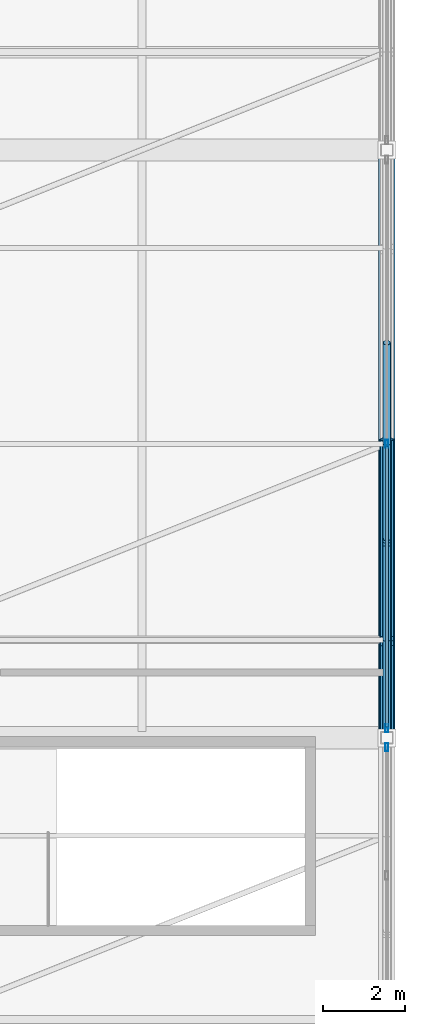
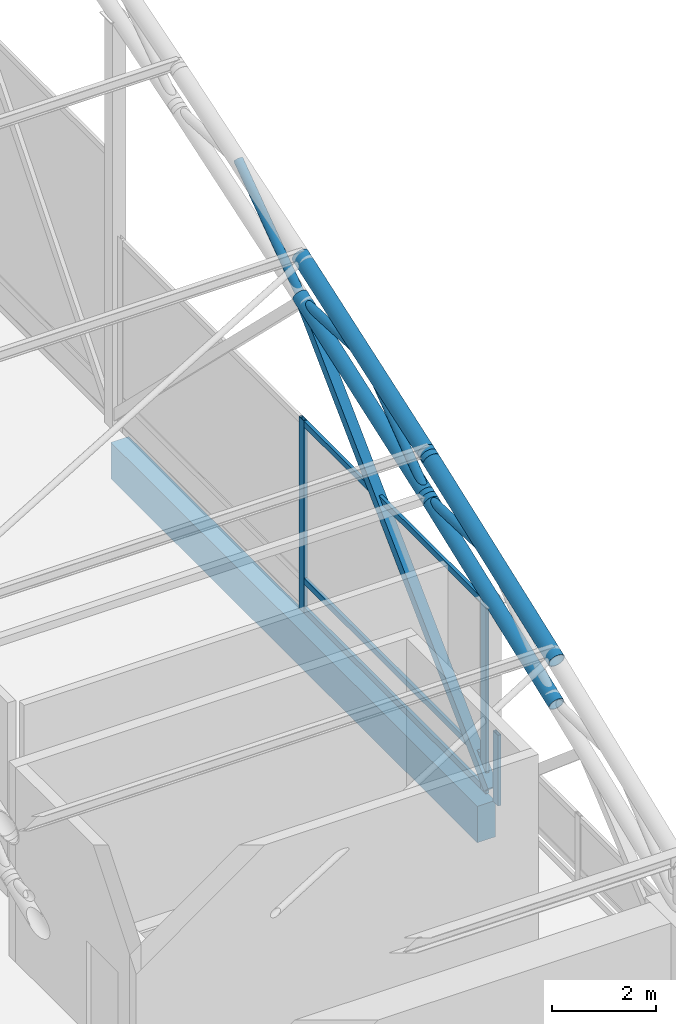
# One storey, part 42 of 116: 15 members, 1 beam, 2 elements without a shape of their own.
"""IFC4 building model written with IfcOpenShell, lengths in metres."""

from ifc_helpers import new_model, si_unit, direction, frame, origin, origin_2d, place, context, subcontext, project, spatial, rectangle, hollow_rectangle, hollow_circle, extrude, material, material_profile, profile_set, type_object, element, aggregate, save


model = new_model("IFC4")

# Units and contexts
model_context = context("Model", 3, precision=1e-05, world=origin(), true_north=direction((0.0, 1.0)))
body_context = subcontext(model_context, "Body", "Model", "MODEL_VIEW")
ifc_project = project(units=[si_unit("LENGTHUNIT", "METRE"), si_unit("AREAUNIT", "SQUARE_METRE"), si_unit("VOLUMEUNIT", "CUBIC_METRE"), si_unit("PLANEANGLEUNIT", "RADIAN"), si_unit("MASSUNIT", "GRAM", prefix="KILO")], contexts=[model_context])

# Site, building, storey
site_placement = place(None, origin())
site = spatial("IfcSite", under=ifc_project, at=site_placement, CompositionType="ELEMENT")
building_placement = place(site_placement, origin())
building = spatial("IfcBuilding", under=site, at=building_placement, Name="Cendralis Lancet Convention Centre", CompositionType="ELEMENT")
storey_placement = place(building_placement, frame((0.0, 0.0, 15.0)))
storey = spatial("IfcBuildingStorey", under=building, at=storey_placement, Name="L03", CompositionType="ELEMENT", Elevation=15.0)

# Curtain wall, member
ifc_material_1 = material(Name="Anodised bronze architectural aluminium", Category="aluminium")
curtain_wall_type = type_object("IfcCurtainWallType", Name="ARC-CW-PL02", PredefinedType="USERDEFINED", material=ifc_material_1)
curtain_wall_1_placement = place(storey_placement, origin())
curtain_wall_1 = element("IfcCurtainWall", 1, at=curtain_wall_1_placement, inside=storey, type_object=curtain_wall_type, Name="L03 Curtain Wall CW-PL2 #141", ObjectType="CURTAIN WALL", PredefinedType="USERDEFINED")
ifc_material_profile_1 = material_profile(ifc_material_1, hollow_rectangle(XDim=0.070068359375, YDim=0.199951171875, WallThickness=0.0048828125, at=origin_2d()), Name="AL-MULL 70x200x5.0")
ifc_profile_set_1 = profile_set([ifc_material_profile_1], Name="Anodised bronze architectural aluminium")
member_type_1 = type_object("IfcMemberType", Name="ARC-CW-ML02", PredefinedType="MULLION", material=ifc_profile_set_1)
member_1_placement = place(storey_placement, frame((208.800048828125, 50.1650390625, 0.0), z_axis=(0.0, 0.0, 1.0), x_axis=(1.0, 0.0, 0.0)))
member_1 = element("IfcMember", 2, at=member_1_placement, type_object=member_type_1, Name="Mullion CW2-CW-PL2-L03-141-M0", PredefinedType="MULLION", context=body_context, shape_type="SweptSolid", body=[
    extrude(hollow_rectangle(XDim=0.070068359375, YDim=0.199951171875, WallThickness=0.0048828125, at=origin_2d()), origin(), (0.0, 0.0, 1.0), 1.64990234375),
])
aggregate(curtain_wall_1, [member_1])

# Curtain wall, members
curtain_wall_2_placement = place(storey_placement, origin())
curtain_wall_2 = element("IfcCurtainWall", 3, at=curtain_wall_2_placement, inside=storey, type_object=curtain_wall_type, Name="L03 Curtain Wall CW-PL2 #142", ObjectType="CURTAIN WALL", PredefinedType="USERDEFINED")
member_2_placement = place(storey_placement, frame((208.800048828125, 57.60009765625, 0.0), z_axis=(0.0, 0.0, 1.0), x_axis=(1.0, 0.0, 0.0)))
member_2 = element("IfcMember", 4, at=member_2_placement, type_object=member_type_1, Name="Mullion CW2-CW-PL2-L03-142-M1", PredefinedType="MULLION", context=body_context, shape_type="SweptSolid", body=[
    extrude(hollow_rectangle(XDim=0.070068359375, YDim=0.199951171875, WallThickness=0.0048828125, at=origin_2d()), origin(), (0.0, 0.0, 1.0), 4.4970703125),
])
member_3_placement = place(storey_placement, frame((208.800048828125, 50.635009765625, 0.0), z_axis=(0.0, 0.0, 1.0), x_axis=(1.0, 0.0, 0.0)))
member_3 = element("IfcMember", 5, at=member_3_placement, type_object=member_type_1, Name="Mullion CW2-CW-PL2-L03-142-M2", PredefinedType="MULLION", context=body_context, shape_type="SweptSolid", body=[
    extrude(hollow_rectangle(XDim=0.070068359375, YDim=0.199951171875, WallThickness=0.0048828125, at=origin_2d()), origin(), (0.0, 0.0, 1.0), 4.4970703125),
])
ifc_material_profile_2 = material_profile(ifc_material_1, hollow_rectangle(XDim=0.070068359375, YDim=0.139892578125, WallThickness=0.00390625, at=origin_2d()), Name="AL-TRAN 70x140x4.0")
ifc_profile_set_2 = profile_set([ifc_material_profile_2], Name="Anodised bronze architectural aluminium")
member_type_2 = type_object("IfcMemberType", Name="ARC-CW-TR02", PredefinedType="USERDEFINED", material=ifc_profile_set_2)
member_4_placement = place(storey_placement, frame((208.800048828125, 57.530029296875, 0.070068359375), z_axis=(0.0, -1.0, 0.0), x_axis=(1.0, 0.0, 0.0)))
member_4 = element("IfcMember", 6, at=member_4_placement, type_object=member_type_2, Name="Transom CW2-CW-PL2-L03-142-T1BOT", ObjectType="TRANSOM", PredefinedType="USERDEFINED", context=body_context, shape_type="SweptSolid", body=[
    extrude(hollow_rectangle(XDim=0.070068359375, YDim=0.139892578125, WallThickness=0.00390625, at=origin_2d()), origin(), (0.0, 0.0, 1.0), 6.860107421875),
])
member_5_placement = place(storey_placement, frame((208.800048828125, 57.530029296875, 0.75), z_axis=(0.0, -1.0, 0.0), x_axis=(1.0, 0.0, 0.0)))
member_5 = element("IfcMember", 7, at=member_5_placement, type_object=member_type_2, Name="Transom CW2-CW-PL2-L03-142-T1MID", ObjectType="TRANSOM", PredefinedType="USERDEFINED", context=body_context, shape_type="SweptSolid", body=[
    extrude(hollow_rectangle(XDim=0.070068359375, YDim=0.139892578125, WallThickness=0.00390625, at=origin_2d()), origin(), (0.0, 0.0, 1.0), 6.860107421875),
])
member_6_placement = place(storey_placement, frame((208.800048828125, 57.530029296875, 4.427001953125), z_axis=(0.0, -1.0, 0.0), x_axis=(1.0, 0.0, 0.0)))
member_6 = element("IfcMember", 8, at=member_6_placement, type_object=member_type_2, Name="Transom CW2-CW-PL2-L03-142-T1TOP", ObjectType="TRANSOM", PredefinedType="USERDEFINED", context=body_context, shape_type="SweptSolid", body=[
    extrude(hollow_rectangle(XDim=0.070068359375, YDim=0.139892578125, WallThickness=0.00390625, at=origin_2d()), origin(), (0.0, 0.0, 1.0), 6.860107421875),
])
aggregate(curtain_wall_2, [member_2, member_3, member_4, member_5, member_6])

# Member
ifc_material_2 = material(Name="Steel S355", Category="steel")
ifc_material_profile_3 = material_profile(ifc_material_2, hollow_rectangle(XDim=0.219970703125, YDim=0.219970703125, WallThickness=0.012451171875, at=origin_2d()), Name="SHS 220x220x12.5")
ifc_profile_set_3 = profile_set([ifc_material_profile_3], Name="Steel S355")
member_type_3 = type_object("IfcMemberType", Name="STR-BR-GB02", PredefinedType="BRACE", material=ifc_profile_set_3)
member_7_placement = place(storey_placement, frame((208.800048828125, 50.39990234375, 0.199951171875), z_axis=(0.0, 0.714347955639, 0.699790681757), x_axis=(-1.0, 0.0, 0.0)))
element("IfcMember", 9, at=member_7_placement, inside=storey, type_object=member_type_3, Name="Plenary Gable Gothic Ogival Tracery Rib GBR2 #073", PredefinedType="BRACE", context=body_context, shape_type="SweptSolid", body=[
    extrude(hollow_rectangle(XDim=0.219970703125, YDim=0.219970703125, WallThickness=0.012451171875, at=origin_2d()), origin(), (0.0, 0.0, 1.0), 10.079345703125),
])

# Beam
ifc_material_3 = material(Name="Concrete G40 (C40/50)", Category="concrete")
ifc_material_profile_4 = material_profile(ifc_material_3, rectangle(XDim=0.39990234375, YDim=0.85009765625, at=origin_2d()), Name="RCB 400x850")
ifc_profile_set_4 = profile_set([ifc_material_profile_4], Name="Concrete G40 (C40/50)")
beam_type = type_object("IfcBeamType", Name="STR-SP-SP02", PredefinedType="SPANDREL", material=ifc_profile_set_4)
beam_placement = place(storey_placement, frame((208.800048828125, 50.574951171875, -0.68505859375), z_axis=(0.0, 1.0, 0.0), x_axis=(-1.0, 0.0, 0.0)))
element("IfcBeam", 10, at=beam_placement, inside=storey, type_object=beam_type, Name="L03 Beam SP02 #1548", PredefinedType="SPANDREL", context=body_context, shape_type="SweptSolid", body=[
    extrude(rectangle(XDim=0.39990234375, YDim=0.85009765625, at=origin_2d()), origin(), (0.0, 0.0, 1.0), 14.050048828125),
])

# Members
ifc_material_profile_5 = material_profile(ifc_material_2, hollow_circle(Radius=0.161865234375, WallThickness=0.01416015625, at=origin_2d()), Name="CHS 323.9x14.2")
ifc_profile_set_5 = profile_set([ifc_material_profile_5], Name="Steel S355")
member_type_4 = type_object("IfcMemberType", Name="STR-TR-BC02", PredefinedType="CHORD", material=ifc_profile_set_5)
member_8_placement = place(storey_placement, frame((208.800048828125, 47.8876953125, 3.695556640625), z_axis=(0.0, 0.935181338514, 0.354169259105), x_axis=(-1.0, 0.0, 0.0)))
element("IfcMember", 11, at=member_8_placement, inside=storey, type_object=member_type_4, Name="ROOF TRUSS AT-V2-10 Bottom Chord 01", PredefinedType="CHORD", context=body_context, shape_type="SweptSolid", body=[
    extrude(hollow_circle(Radius=0.161865234375, WallThickness=0.01416015625, at=origin_2d()), origin(), (0.0, 0.0, 1.0), 5.37255859375),
])
member_9_placement = place(storey_placement, frame((208.800048828125, 52.68701171875, 5.51611328125), z_axis=(0.0, 0.942788943503, 0.333390173833), x_axis=(-1.0, 0.0, 0.0)))
element("IfcMember", 12, at=member_9_placement, inside=storey, type_object=member_type_4, Name="ROOF TRUSS AT-V2-10 Bottom Chord 02", PredefinedType="CHORD", context=body_context, shape_type="SweptSolid", body=[
    extrude(hollow_circle(Radius=0.161865234375, WallThickness=0.01416015625, at=origin_2d()), origin(), (0.0, 0.0, 1.0), 5.3310546875),
])
ifc_material_profile_6 = material_profile(ifc_material_2, hollow_circle(Radius=0.177734375, WallThickness=0.01611328125, at=origin_2d()), Name="CHS 355.6x16.0")
ifc_profile_set_6 = profile_set([ifc_material_profile_6], Name="Steel S355")
member_type_5 = type_object("IfcMemberType", Name="STR-TR-TC02", PredefinedType="CHORD", material=ifc_profile_set_6)
member_10_placement = place(storey_placement, frame((208.800048828125, 47.887451171875, 4.712646484375), z_axis=(0.0, 0.937337757089, 0.348422056041), x_axis=(-1.0, 0.0, 0.0)))
element("IfcMember", 13, at=member_10_placement, inside=storey, type_object=member_type_5, Name="ROOF TRUSS AT-V2-10 Top Chord 01", PredefinedType="CHORD", context=body_context, shape_type="SweptSolid", body=[
    extrude(hollow_circle(Radius=0.177734375, WallThickness=0.01611328125, at=origin_2d()), origin(), (0.0, 0.0, 1.0), 5.361083984375),
])
member_11_placement = place(storey_placement, frame((208.800048828125, 52.6865234375, 6.49951171875), z_axis=(0.0, 0.944848505706, 0.327507711764), x_axis=(-1.0, 0.0, 0.0)))
element("IfcMember", 14, at=member_11_placement, inside=storey, type_object=member_type_5, Name="ROOF TRUSS AT-V2-10 Top Chord 02", PredefinedType="CHORD", context=body_context, shape_type="SweptSolid", body=[
    extrude(hollow_circle(Radius=0.177734375, WallThickness=0.01611328125, at=origin_2d()), origin(), (0.0, 0.0, 1.0), 5.3203125),
])
ifc_material_profile_7 = material_profile(ifc_material_2, hollow_circle(Radius=0.096923828125, WallThickness=0.008056640625, at=origin_2d()), Name="CHS 193.7x8.0")
ifc_profile_set_7 = profile_set([ifc_material_profile_7], Name="Steel S355")
member_type_6 = type_object("IfcMemberType", Name="STR-TR-WD02", PredefinedType="BRACE", material=ifc_profile_set_7)
member_12_placement = place(storey_placement, frame((208.800048828125, 50.300048828125, 5.650390625), z_axis=(0.0, 0.999288228514, -0.037723154086), x_axis=(-1.0, 0.0, 0.0)))
element("IfcMember", 15, at=member_12_placement, inside=storey, type_object=member_type_6, Name="ROOF TRUSS AT-V2-10 Warren Web 01-1", PredefinedType="BRACE", context=body_context, shape_type="SweptSolid", body=[
    extrude(hollow_circle(Radius=0.096923828125, WallThickness=0.008056640625, at=origin_2d()), origin(), (0.0, 0.0, 1.0), 2.601806640625),
])
member_13_placement = place(storey_placement, frame((208.800048828125, 52.72021484375, 5.49560546875), z_axis=(0.0, 0.797620051478, 0.603160222064), x_axis=(-1.0, 0.0, 0.0)))
element("IfcMember", 16, at=member_13_placement, inside=storey, type_object=member_type_6, Name="ROOF TRUSS AT-V2-10 Warren Web 02-0", PredefinedType="BRACE", context=body_context, shape_type="SweptSolid", body=[
    extrude(hollow_circle(Radius=0.096923828125, WallThickness=0.008056640625, at=origin_2d()), origin(), (0.0, 0.0, 1.0), 3.208984375),
])
member_14_placement = place(storey_placement, frame((208.800048828125, 55.10009765625, 7.375732421875), z_axis=(0.0, 0.998805327149, -0.048866332561), x_axis=(-1.0, 0.0, 0.0)))
element("IfcMember", 17, at=member_14_placement, inside=storey, type_object=member_type_6, Name="ROOF TRUSS AT-V2-10 Warren Web 02-1", PredefinedType="BRACE", context=body_context, shape_type="SweptSolid", body=[
    extrude(hollow_circle(Radius=0.096923828125, WallThickness=0.008056640625, at=origin_2d()), origin(), (0.0, 0.0, 1.0), 2.60302734375),
])
member_15_placement = place(storey_placement, frame((208.800048828125, 57.518798828125, 7.195068359375), z_axis=(0.0, 0.811035686786, 0.584996679273), x_axis=(-1.0, 0.0, 0.0)))
element("IfcMember", 18, at=member_15_placement, inside=storey, type_object=member_type_6, Name="ROOF TRUSS AT-V2-10 Warren Web 03-0", PredefinedType="BRACE", context=body_context, shape_type="SweptSolid", body=[
    extrude(hollow_circle(Radius=0.096923828125, WallThickness=0.008056640625, at=origin_2d()), origin(), (0.0, 0.0, 1.0), 3.1591796875),
])

save(model, "model.ifc")
